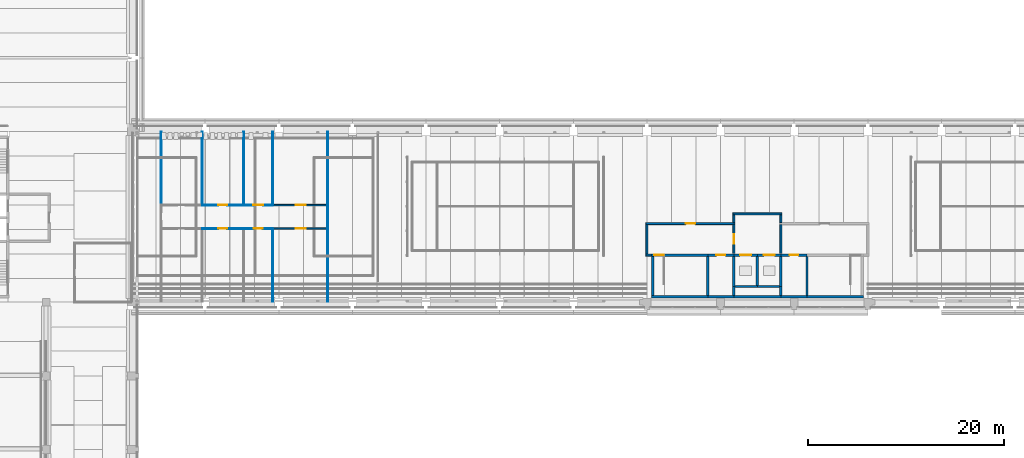
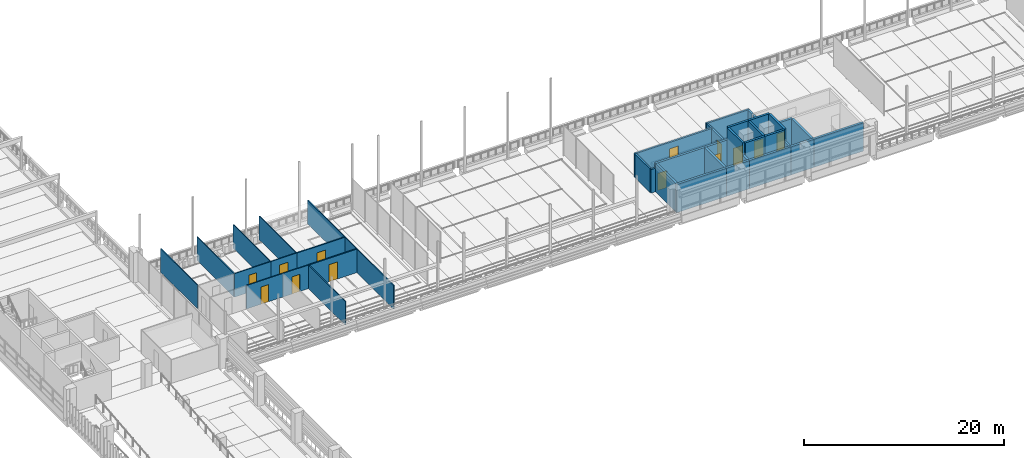
# One storey, part 42 of 62: 42 walls, 13 doors, 13 openings.
"""IFC4 building model written with IfcOpenShell, lengths in metres."""

from ifc_helpers import new_model, si_unit, direction, frame, frame_2d, origin, place, context, subcontext, project, spatial, rectangle, extrude, material, layer, layer_set, type_object, element, fill, save


model = new_model("IFC4")

# Units and contexts
model_context = context("Model", 3, precision=1e-05, world=origin(), true_north=direction((0.0, 1.0)))
body_context = subcontext(model_context, "Body", "Model", "MODEL_VIEW")
ifc_project = project(units=[si_unit("LENGTHUNIT", "METRE"), si_unit("AREAUNIT", "SQUARE_METRE"), si_unit("VOLUMEUNIT", "CUBIC_METRE"), si_unit("PLANEANGLEUNIT", "RADIAN"), si_unit("MASSUNIT", "GRAM", prefix="KILO")], contexts=[model_context])

# Site, building, storey
site_placement = place(None, origin())
site = spatial("IfcSite", under=ifc_project, at=site_placement, CompositionType="ELEMENT")
building_placement = place(site_placement, origin())
building = spatial("IfcBuilding", under=site, at=building_placement, Name="Cour d'Honneur Mobility Palace", CompositionType="ELEMENT")
storey_placement = place(building_placement, frame((0.0, 0.0, 19.300048828125)))
storey = spatial("IfcBuildingStorey", under=building, at=storey_placement, Name="L05", CompositionType="ELEMENT", Elevation=19.300048828125)

# Walls
ifc_material_1 = material(Name="Concrete C50", Category="concrete")
ifc_layer_1 = layer(ifc_material_1, 0.25)
ifc_layer_set_1 = layer_set([ifc_layer_1], Name="Concrete C50")
wall_type_1 = type_object("IfcWallType", Name="Lift shaft wall 250", PredefinedType="SHEAR", material=ifc_layer_set_1)
wall_1_placement = place(storey_placement, frame((78.875, 46.60009765625, 0.0), z_axis=(0.0, 0.0, 1.0), x_axis=(1.0, 0.0, 0.0)))
element("IfcWall", 1, at=wall_1_placement, inside=storey, type_object=wall_type_1, Name="Lift shaft wall WL-CC6 L05", PredefinedType="SHEAR", context=body_context, shape_type="SweptSolid", body=[
    extrude(rectangle(XDim=2.27490234375, YDim=0.25, at=frame_2d((1.137451171875, 0.0))), origin(), (0.0, 0.0, 1.0), 4.949951171875),
])
wall_2_placement = place(storey_placement, frame((81.14990234375, 46.60009765625, 0.0), z_axis=(0.0, 0.0, 1.0), x_axis=(1.0, 0.0, 0.0)))
element("IfcWall", 2, at=wall_2_placement, inside=storey, type_object=wall_type_1, Name="Lift shaft wall WL-CC7 L05", PredefinedType="SHEAR", context=body_context, shape_type="SweptSolid", body=[
    extrude(rectangle(XDim=2.275146484375, YDim=0.25, at=frame_2d((1.1376953125, 0.0))), origin(), (0.0, 0.0, 1.0), 4.949951171875),
])

# Wall, opening, door
wall_3_placement = place(storey_placement, frame((78.75, 49.800048828125, 0.0), z_axis=(0.0, 0.0, 1.0), x_axis=(1.0, 0.0, 0.0)))
wall_3 = element("IfcWall", 3, at=wall_3_placement, inside=storey, type_object=wall_type_1, Name="Lift shaft wall WL-CC10 L05", PredefinedType="SHEAR", context=body_context, shape_type="SweptSolid", body=[
    extrude(rectangle(XDim=2.39990234375, YDim=0.25, at=frame_2d((1.199951171875, 0.0))), origin(), (0.0, 0.0, 1.0), 4.949951171875),
])
opening_1_placement = place(wall_3_placement, frame((0.64990234375, 0.0, 0.0)))
opening_1 = element("IfcOpeningElement", 4, at=opening_1_placement, cuts=wall_3, Name="Opening LD46", PredefinedType="OPENING", context=body_context, shape_type="SweptSolid", body=[
    extrude(rectangle(XDim=1.10009765625, YDim=2.10009765625, at=frame_2d((0.550048828125, 1.050048828125))), frame((0.0, 0.135009765625, 0.0), z_axis=(0.0, -1.0, 0.0), x_axis=(1.0, 0.0, 0.0)), (0.0, 0.0, 1.0), 0.27001953125),
])
ifc_material_2 = material(Name="Stainless steel", Category="steel")
door_type_1 = type_object("IfcDoorType", Name="Landing door 1100 x 2100", OperationType="SLIDING_TO_LEFT", PredefinedType="DOOR", material=ifc_material_2)
door_1_placement = place(opening_1_placement, origin())
door_1 = element("IfcDoor", 5, at=door_1_placement, inside=storey, type_object=door_type_1, Name="Landing door LF-CC1 L05", OperationType="SLIDING_TO_LEFT", OverallHeight=2.10009765625, OverallWidth=1.10009765625, PredefinedType="DOOR", context=body_context, shape_type="SweptSolid", body=[
    extrude(rectangle(XDim=1.10009765625, YDim=2.10009765625, at=frame_2d((0.550048828125, 1.050048828125))), frame((0.0, 0.02490234375, 0.0), z_axis=(0.0, -1.0, 0.0), x_axis=(1.0, 0.0, 0.0)), (0.0, 0.0, 1.0), 0.050048828125),
])
fill(opening_1, door_1)

wall_4_placement = place(storey_placement, frame((81.14990234375, 49.800048828125, 0.0), z_axis=(0.0, 0.0, 1.0), x_axis=(1.0, 0.0, 0.0)))
wall_4 = element("IfcWall", 6, at=wall_4_placement, inside=storey, type_object=wall_type_1, Name="Lift shaft wall WL-CC11 L05", PredefinedType="SHEAR", context=body_context, shape_type="SweptSolid", body=[
    extrude(rectangle(XDim=2.400146484375, YDim=0.25, at=frame_2d((1.2001953125, 0.0))), origin(), (0.0, 0.0, 1.0), 4.949951171875),
])
opening_2_placement = place(wall_4_placement, frame((0.64990234375, 0.0, 0.0)))
opening_2 = element("IfcOpeningElement", 7, at=opening_2_placement, cuts=wall_4, Name="Opening LD52", PredefinedType="OPENING", context=body_context, shape_type="SweptSolid", body=[
    extrude(rectangle(XDim=1.10009765625, YDim=2.10009765625, at=frame_2d((0.550048828125, 1.050048828125))), frame((0.0, 0.135009765625, 0.0), z_axis=(0.0, -1.0, 0.0), x_axis=(1.0, 0.0, 0.0)), (0.0, 0.0, 1.0), 0.27001953125),
])
door_2_placement = place(opening_2_placement, origin())
door_2 = element("IfcDoor", 8, at=door_2_placement, inside=storey, type_object=door_type_1, Name="Landing door LF-CC2 L05", OperationType="SLIDING_TO_LEFT", OverallHeight=2.10009765625, OverallWidth=1.10009765625, PredefinedType="DOOR", context=body_context, shape_type="SweptSolid", body=[
    extrude(rectangle(XDim=1.10009765625, YDim=2.10009765625, at=frame_2d((0.550048828125, 1.050048828125))), frame((0.0, 0.02490234375, 0.0), z_axis=(0.0, -1.0, 0.0), x_axis=(1.0, 0.0, 0.0)), (0.0, 0.0, 1.0), 0.050048828125),
])
fill(opening_2, door_2)

# Walls
wall_5_placement = place(storey_placement, frame((78.75, 46.60009765625, 0.0), z_axis=(0.0, 0.0, 1.0), x_axis=(0.0, 1.0, 0.0)))
element("IfcWall", 9, at=wall_5_placement, inside=storey, type_object=wall_type_1, Name="Lift shaft wall WL-CC17 L05", PredefinedType="SHEAR", context=body_context, shape_type="SweptSolid", body=[
    extrude(rectangle(XDim=3.074951171875, YDim=0.25, at=frame_2d((1.53759765625, 0.0))), origin(), (0.0, 0.0, 1.0), 4.949951171875),
])
wall_6_placement = place(storey_placement, frame((81.14990234375, 46.72509765625, 0.0), z_axis=(0.0, 0.0, 1.0), x_axis=(0.0, 1.0, 0.0)))
element("IfcWall", 10, at=wall_6_placement, inside=storey, type_object=wall_type_1, Name="Lift shaft wall WL-CC18 L05", PredefinedType="SHEAR", context=body_context, shape_type="SweptSolid", body=[
    extrude(rectangle(XDim=2.949951171875, YDim=0.25, at=frame_2d((1.47509765625, 0.0))), origin(), (0.0, 0.0, 1.0), 4.949951171875),
])
wall_7_placement = place(storey_placement, frame((83.550048828125, 46.60009765625, 0.0), z_axis=(0.0, 0.0, 1.0), x_axis=(0.0, 1.0, 0.0)))
element("IfcWall", 11, at=wall_7_placement, inside=storey, type_object=wall_type_1, Name="Lift shaft wall WL-CC20 L05", PredefinedType="SHEAR", context=body_context, shape_type="SweptSolid", body=[
    extrude(rectangle(XDim=3.074951171875, YDim=0.25, at=frame_2d((1.53759765625, 0.0))), origin(), (0.0, 0.0, 1.0), 4.949951171875),
])
ifc_material_3 = material(Name="Gypsum plasterboard")
ifc_layer_2 = layer(ifc_material_3, 0.10009765625)
ifc_layer_set_2 = layer_set([ifc_layer_2], Name="Gypsum plasterboard")
wall_type_2 = type_object("IfcWallType", Name="Partition 100", PredefinedType="PARTITIONING", material=ifc_layer_set_2)
for number, where, z_axis, x_axis, name in (
    (12, (31.800048828125, 45.06005859375, 0.0), (0.0, 0.0, 1.0), (0.0, 1.0, 0.0), "Partition 021"),
    (13, (37.39990234375, 45.06005859375, 0.0), (0.0, 0.0, 1.0), (0.0, 1.0, 0.0), "Partition 022"),
):
    element("IfcWall", number, at=place(storey_placement, frame(where, z_axis=z_axis, x_axis=x_axis)), inside=storey, type_object=wall_type_2, Name=name, PredefinedType="PARTITIONING", context=body_context, shape_type="SweptSolid", body=[
        extrude(rectangle(XDim=7.364990234375, YDim=0.10009765625, at=frame_2d((3.6826171875, 0.0))), origin(), (0.0, 0.0, 1.0), 2.8798828125),
    ])

# Wall, opening, door
wall_8_placement = place(storey_placement, frame((24.60009765625, 52.5, 0.0), z_axis=(0.0, 0.0, 1.0), x_axis=(1.0, 0.0, 0.0)))
wall_8 = element("IfcWall", 14, at=wall_8_placement, inside=storey, type_object=wall_type_2, Name="Partition 038", PredefinedType="PARTITIONING", context=body_context, shape_type="SweptSolid", body=[
    extrude(rectangle(XDim=4.199951171875, YDim=0.10009765625, at=frame_2d((2.10009765625, 0.0))), origin(), (0.0, 0.0, 1.0), 2.8798828125),
])
opening_3_placement = place(wall_8_placement, frame((1.64990234375, 0.0, 0.0)))
opening_3 = element("IfcOpeningElement", 15, at=opening_3_placement, cuts=wall_8, Name="Opening D0519", PredefinedType="OPENING", context=body_context, shape_type="SweptSolid", body=[
    extrude(rectangle(XDim=0.89990234375, YDim=2.10009765625, at=frame_2d((0.449951171875, 1.050048828125))), frame((0.0, 0.06005859375, 0.0), z_axis=(0.0, -1.0, 0.0), x_axis=(1.0, 0.0, 0.0)), (0.0, 0.0, 1.0), 0.1201171875),
])
ifc_material_4 = material(Name="Solid timber", Category="wood")
door_type_2 = type_object("IfcDoorType", Name="Single door 900 x 2100", OperationType="SINGLE_SWING_LEFT", PredefinedType="DOOR", material=ifc_material_4)
door_3_placement = place(opening_3_placement, origin())
door_3 = element("IfcDoor", 16, at=door_3_placement, inside=storey, type_object=door_type_2, Name="Door Changing Room Women West", OperationType="SINGLE_SWING_LEFT", OverallHeight=2.10009765625, OverallWidth=0.89990234375, PredefinedType="DOOR", context=body_context, shape_type="SweptSolid", body=[
    extrude(rectangle(XDim=0.89990234375, YDim=2.10009765625, at=frame_2d((0.449951171875, 1.050048828125))), frame((0.0, 0.02490234375, 0.0), z_axis=(0.0, -1.0, 0.0), x_axis=(1.0, 0.0, 0.0)), (0.0, 0.0, 1.0), 0.050048828125),
])
fill(opening_3, door_3)

wall_9_placement = place(storey_placement, frame((28.800048828125, 52.5, 0.0), z_axis=(0.0, 0.0, 1.0), x_axis=(1.0, 0.0, 0.0)))
wall_9 = element("IfcWall", 17, at=wall_9_placement, inside=storey, type_object=wall_type_2, Name="Partition 039", PredefinedType="PARTITIONING", context=body_context, shape_type="SweptSolid", body=[
    extrude(rectangle(XDim=3.0, YDim=0.10009765625, at=frame_2d((1.5, 0.0))), origin(), (0.0, 0.0, 1.0), 2.8798828125),
])
opening_4_placement = place(wall_9_placement, frame((1.050048828125, 0.0, 0.0)))
opening_4 = element("IfcOpeningElement", 18, at=opening_4_placement, cuts=wall_9, Name="Opening D0520", PredefinedType="OPENING", context=body_context, shape_type="SweptSolid", body=[
    extrude(rectangle(XDim=0.89990234375, YDim=2.10009765625, at=frame_2d((0.449951171875, 1.050048828125))), frame((0.0, 0.06005859375, 0.0), z_axis=(0.0, -1.0, 0.0), x_axis=(1.0, 0.0, 0.0)), (0.0, 0.0, 1.0), 0.1201171875),
])
door_4_placement = place(opening_4_placement, origin())
door_4 = element("IfcDoor", 19, at=door_4_placement, inside=storey, type_object=door_type_2, Name="Door Accessible Changing Room West", OperationType="SINGLE_SWING_LEFT", OverallHeight=2.10009765625, OverallWidth=0.89990234375, PredefinedType="DOOR", context=body_context, shape_type="SweptSolid", body=[
    extrude(rectangle(XDim=0.89990234375, YDim=2.10009765625, at=frame_2d((0.449951171875, 1.050048828125))), frame((0.0, 0.02490234375, 0.0), z_axis=(0.0, -1.0, 0.0), x_axis=(1.0, 0.0, 0.0)), (0.0, 0.0, 1.0), 0.050048828125),
])
fill(opening_4, door_4)

# Walls
wall_10_placement = place(storey_placement, frame((37.39990234375, 52.574951171875, 0.0), z_axis=(0.0, 0.0, 1.0), x_axis=(0.0, 1.0, 0.0)))
element("IfcWall", 20, at=wall_10_placement, inside=storey, type_object=wall_type_2, Name="Partition 041", PredefinedType="PARTITIONING", context=body_context, shape_type="SweptSolid", body=[
    extrude(rectangle(XDim=2.25, YDim=0.10009765625, at=frame_2d((1.125, 0.0))), origin(), (0.0, 0.0, 1.0), 2.8798828125),
])
wall_11_placement = place(storey_placement, frame((24.60009765625, 54.949951171875, 0.0), z_axis=(0.0, 0.0, 1.0), x_axis=(0.0, 1.0, 0.0)))
element("IfcWall", 21, at=wall_11_placement, inside=storey, type_object=wall_type_2, Name="Partition 053", PredefinedType="PARTITIONING", context=body_context, shape_type="SweptSolid", body=[
    extrude(rectangle(XDim=7.39013671875, YDim=0.10009765625, at=frame_2d((3.695068359375, 0.0))), origin(), (0.0, 0.0, 1.0), 2.8798828125),
])

# Wall, opening, door
wall_12_placement = place(storey_placement, frame((28.800048828125, 54.89990234375, 0.0), z_axis=(0.0, 0.0, 1.0), x_axis=(-1.0, 0.0, 0.0)))
wall_12 = element("IfcWall", 22, at=wall_12_placement, inside=storey, type_object=wall_type_2, Name="Partition 054", PredefinedType="PARTITIONING", context=body_context, shape_type="SweptSolid", body=[
    extrude(rectangle(XDim=4.199951171875, YDim=0.10009765625, at=frame_2d((2.10009765625, 0.0))), origin(), (0.0, 0.0, 1.0), 2.8798828125),
])
opening_5_placement = place(wall_12_placement, frame((1.64990234375, 0.0, 0.0)))
opening_5 = element("IfcOpeningElement", 23, at=opening_5_placement, cuts=wall_12, Name="Opening D0523", PredefinedType="OPENING", context=body_context, shape_type="SweptSolid", body=[
    extrude(rectangle(XDim=0.89990234375, YDim=2.10009765625, at=frame_2d((0.449951171875, 1.050048828125))), frame((0.0, 0.06005859375, 0.0), z_axis=(0.0, -1.0, 0.0), x_axis=(1.0, 0.0, 0.0)), (0.0, 0.0, 1.0), 0.1201171875),
])
door_5_placement = place(opening_5_placement, origin())
door_5 = element("IfcDoor", 24, at=door_5_placement, inside=storey, type_object=door_type_2, Name="Door WC Women West", OperationType="SINGLE_SWING_LEFT", OverallHeight=2.10009765625, OverallWidth=0.89990234375, PredefinedType="DOOR", context=body_context, shape_type="SweptSolid", body=[
    extrude(rectangle(XDim=0.89990234375, YDim=2.10009765625, at=frame_2d((0.449951171875, 1.050048828125))), frame((0.0, 0.02490234375, 0.0), z_axis=(0.0, -1.0, 0.0), x_axis=(1.0, 0.0, 0.0)), (0.0, 0.0, 1.0), 0.050048828125),
])
fill(opening_5, door_5)

# Wall
wall_13_placement = place(storey_placement, frame((28.800048828125, 54.949951171875, 0.0), z_axis=(0.0, 0.0, 1.0), x_axis=(0.0, 1.0, 0.0)))
element("IfcWall", 25, at=wall_13_placement, inside=storey, type_object=wall_type_2, Name="Partition 055", PredefinedType="PARTITIONING", context=body_context, shape_type="SweptSolid", body=[
    extrude(rectangle(XDim=7.39013671875, YDim=0.10009765625, at=frame_2d((3.695068359375, 0.0))), origin(), (0.0, 0.0, 1.0), 2.8798828125),
])

# Wall, opening, door
wall_14_placement = place(storey_placement, frame((31.800048828125, 54.89990234375, 0.0), z_axis=(0.0, 0.0, 1.0), x_axis=(-1.0, 0.0, 0.0)))
wall_14 = element("IfcWall", 26, at=wall_14_placement, inside=storey, type_object=wall_type_2, Name="Partition 056", PredefinedType="PARTITIONING", context=body_context, shape_type="SweptSolid", body=[
    extrude(rectangle(XDim=3.0, YDim=0.10009765625, at=frame_2d((1.5, 0.0))), origin(), (0.0, 0.0, 1.0), 2.8798828125),
])
opening_6_placement = place(wall_14_placement, frame((1.0, 0.0, 0.0)))
opening_6 = element("IfcOpeningElement", 27, at=opening_6_placement, cuts=wall_14, Name="Opening D0524", PredefinedType="OPENING", context=body_context, shape_type="SweptSolid", body=[
    extrude(rectangle(XDim=1.0, YDim=2.10009765625, at=frame_2d((0.5, 1.050048828125))), frame((0.0, 0.06005859375, 0.0), z_axis=(0.0, -1.0, 0.0), x_axis=(1.0, 0.0, 0.0)), (0.0, 0.0, 1.0), 0.1201171875),
])
ifc_material_5 = material(Name="Solid timber", Category="wood")
door_type_3 = type_object("IfcDoorType", Name="Accessible door 1000 x 2100", OperationType="SINGLE_SWING_LEFT", PredefinedType="DOOR", material=ifc_material_5)
door_6_placement = place(opening_6_placement, origin())
door_6 = element("IfcDoor", 28, at=door_6_placement, inside=storey, type_object=door_type_3, Name="Door Accessible WC West", OperationType="SINGLE_SWING_LEFT", OverallHeight=2.10009765625, OverallWidth=1.0, PredefinedType="DOOR", context=body_context, shape_type="SweptSolid", body=[
    extrude(rectangle(XDim=1.0, YDim=2.10009765625, at=frame_2d((0.5, 1.050048828125))), frame((0.0, 0.02490234375, 0.0), z_axis=(0.0, -1.0, 0.0), x_axis=(1.0, 0.0, 0.0)), (0.0, 0.0, 1.0), 0.050048828125),
])
fill(opening_6, door_6)

# Walls
for number, where, z_axis, x_axis, name in (
    (29, (31.800048828125, 54.97509765625, 0.0), (0.0, 0.0, 1.0), (0.0, 1.0, 0.0), "Partition 057"),
    (30, (37.39990234375, 54.97509765625, 0.0), (0.0, 0.0, 1.0), (0.0, 1.0, 0.0), "Partition 059"),
):
    element("IfcWall", number, at=place(storey_placement, frame(where, z_axis=z_axis, x_axis=x_axis)), inside=storey, type_object=wall_type_2, Name=name, PredefinedType="PARTITIONING", context=body_context, shape_type="SweptSolid", body=[
        extrude(rectangle(XDim=7.364990234375, YDim=0.10009765625, at=frame_2d((3.6826171875, 0.0))), origin(), (0.0, 0.0, 1.0), 2.8798828125),
    ])
wall_15_placement = place(storey_placement, frame((20.39990234375, 62.340087890625, 0.0), z_axis=(0.0, 0.0, 1.0), x_axis=(0.0, -1.0, 0.0)))
element("IfcWall", 31, at=wall_15_placement, inside=storey, type_object=wall_type_2, Name="Partition 068", PredefinedType="PARTITIONING", context=body_context, shape_type="SweptSolid", body=[
    extrude(rectangle(XDim=7.39013671875, YDim=0.10009765625, at=frame_2d((3.695068359375, 0.0))), origin(), (0.0, 0.0, 1.0), 2.8798828125),
])

# Wall, opening, door
ifc_material_6 = material(Name="Gypsum plasterboard")
ifc_layer_3 = layer(ifc_material_6, 0.14990234375)
ifc_layer_set_3 = layer_set([ifc_layer_3], Name="Gypsum plasterboard")
wall_type_3 = type_object("IfcWallType", Name="Partition 150 rated EI 60", PredefinedType="PARTITIONING", material=ifc_layer_set_3)
wall_16_placement = place(storey_placement, frame((31.800048828125, 52.5, 0.0), z_axis=(0.0, 0.0, 1.0), x_axis=(1.0, 0.0, 0.0)))
wall_16 = element("IfcWall", 32, at=wall_16_placement, inside=storey, type_object=wall_type_3, Name="Partition 040", PredefinedType="PARTITIONING", context=body_context, shape_type="SweptSolid", body=[
    extrude(rectangle(XDim=5.64990234375, YDim=0.14990234375, at=frame_2d((2.824951171875, 0.0))), origin(), (0.0, 0.0, 1.0), 2.8798828125),
])
opening_7_placement = place(wall_16_placement, frame((2.324951171875, 0.0, 0.0)))
opening_7 = element("IfcOpeningElement", 33, at=opening_7_placement, cuts=wall_16, Name="Opening D0521", PredefinedType="OPENING", context=body_context, shape_type="SweptSolid", body=[
    extrude(rectangle(XDim=1.0, YDim=2.10009765625, at=frame_2d((0.5, 1.050048828125))), frame((0.0, 0.0849609375, 0.0), z_axis=(0.0, -1.0, 0.0), x_axis=(1.0, 0.0, 0.0)), (0.0, 0.0, 1.0), 0.169921875),
])
ifc_material_7 = material(Name="Galvanised steel", Category="steel")
door_type_4 = type_object("IfcDoorType", Name="Fire door FD60 1000 x 2100", OperationType="SINGLE_SWING_LEFT", PredefinedType="DOOR", material=ifc_material_7)
door_7_placement = place(opening_7_placement, origin())
door_7 = element("IfcDoor", 34, at=door_7_placement, inside=storey, type_object=door_type_4, Name="Door Equipment Store West", OperationType="SINGLE_SWING_RIGHT", OverallHeight=2.10009765625, OverallWidth=1.0, PredefinedType="DOOR", context=body_context, shape_type="SweptSolid", body=[
    extrude(rectangle(XDim=1.0, YDim=2.10009765625, at=frame_2d((0.5, 1.050048828125))), frame((0.0, 0.02490234375, 0.0), z_axis=(0.0, -1.0, 0.0), x_axis=(1.0, 0.0, 0.0)), (0.0, 0.0, 1.0), 0.050048828125),
])
fill(opening_7, door_7)

wall_17_placement = place(storey_placement, frame((37.449951171875, 54.89990234375, 0.0), z_axis=(0.0, 0.0, 1.0), x_axis=(-1.0, 0.0, 0.0)))
wall_17 = element("IfcWall", 35, at=wall_17_placement, inside=storey, type_object=wall_type_3, Name="Partition 058", PredefinedType="PARTITIONING", context=body_context, shape_type="SweptSolid", body=[
    extrude(rectangle(XDim=5.64990234375, YDim=0.14990234375, at=frame_2d((2.824951171875, 0.0))), origin(), (0.0, 0.0, 1.0), 2.8798828125),
])
opening_8_placement = place(wall_17_placement, frame((2.324951171875, 0.0, 0.0)))
opening_8 = element("IfcOpeningElement", 36, at=opening_8_placement, cuts=wall_17, Name="Opening D0525", PredefinedType="OPENING", context=body_context, shape_type="SweptSolid", body=[
    extrude(rectangle(XDim=1.0, YDim=2.10009765625, at=frame_2d((0.5, 1.050048828125))), frame((0.0, 0.0849609375, 0.0), z_axis=(0.0, -1.0, 0.0), x_axis=(1.0, 0.0, 0.0)), (0.0, 0.0, 1.0), 0.169921875),
])
door_8_placement = place(opening_8_placement, origin())
door_8 = element("IfcDoor", 37, at=door_8_placement, inside=storey, type_object=door_type_4, Name="Door First Aid Room", OperationType="SINGLE_SWING_LEFT", OverallHeight=2.10009765625, OverallWidth=1.0, PredefinedType="DOOR", context=body_context, shape_type="SweptSolid", body=[
    extrude(rectangle(XDim=1.0, YDim=2.10009765625, at=frame_2d((0.5, 1.050048828125))), frame((0.0, 0.02490234375, 0.0), z_axis=(0.0, -1.0, 0.0), x_axis=(1.0, 0.0, 0.0)), (0.0, 0.0, 1.0), 0.050048828125),
])
fill(opening_8, door_8)

# Wall
ifc_material_8 = material(Name="Gypsum plasterboard")
ifc_layer_4 = layer(ifc_material_8, 0.199951171875)
ifc_layer_set_4 = layer_set([ifc_layer_4], Name="Gypsum plasterboard")
wall_type_4 = type_object("IfcWallType", Name="Partition 200 rated EI 120", PredefinedType="PARTITIONING", material=ifc_layer_set_4)
wall_18_placement = place(storey_placement, frame((69.800048828125, 49.800048828125, 0.0), z_axis=(0.0, 0.0, 1.0), x_axis=(1.0, 0.0, 0.0)))
element("IfcWall", 38, at=wall_18_placement, inside=storey, type_object=wall_type_4, Name="Partition 024", PredefinedType="PARTITIONING", context=body_context, shape_type="SweptSolid", body=[
    extrude(rectangle(XDim=0.550048828125, YDim=0.199951171875, at=frame_2d((0.27490234375, 0.0))), origin(), (0.0, 0.0, 1.0), 2.8798828125),
])

# Wall, opening, door
wall_19_placement = place(storey_placement, frame((78.75, 49.97509765625, 0.0), z_axis=(0.0, 0.0, 1.0), x_axis=(0.0, 1.0, 0.0)))
wall_19 = element("IfcWall", 39, at=wall_19_placement, inside=storey, type_object=wall_type_4, Name="Partition 027", PredefinedType="PARTITIONING", context=body_context, shape_type="SweptSolid", body=[
    extrude(rectangle(XDim=2.9248046875, YDim=0.199951171875, at=frame_2d((1.46240234375, 0.0))), origin(), (0.0, 0.0, 1.0), 2.8798828125),
])
opening_9_placement = place(wall_19_placement, frame((0.96240234375, 0.0, 0.0)))
opening_9 = element("IfcOpeningElement", 40, at=opening_9_placement, cuts=wall_19, Name="Opening D0505", PredefinedType="OPENING", context=body_context, shape_type="SweptSolid", body=[
    extrude(rectangle(XDim=1.0, YDim=2.10009765625, at=frame_2d((0.5, 1.050048828125))), frame((0.0, 0.10986328125, 0.0), z_axis=(0.0, -1.0, 0.0), x_axis=(1.0, 0.0, 0.0)), (0.0, 0.0, 1.0), 0.219970703125),
])
ifc_material_9 = material(Name="Galvanised steel", Category="steel")
door_type_5 = type_object("IfcDoorType", Name="Fire door FD120 1000 x 2100", OperationType="SINGLE_SWING_LEFT", PredefinedType="DOOR", material=ifc_material_9)
door_9_placement = place(opening_9_placement, origin())
door_9 = element("IfcDoor", 41, at=door_9_placement, inside=storey, type_object=door_type_5, Name="Door Lift Lobby CC", OperationType="SINGLE_SWING_RIGHT", OverallHeight=2.10009765625, OverallWidth=1.0, PredefinedType="DOOR", context=body_context, shape_type="SweptSolid", body=[
    extrude(rectangle(XDim=1.0, YDim=2.10009765625, at=frame_2d((0.5, 1.050048828125))), frame((0.0, 0.02490234375, 0.0), z_axis=(0.0, -1.0, 0.0), x_axis=(1.0, 0.0, 0.0)), (0.0, 0.0, 1.0), 0.050048828125),
])
fill(opening_9, door_9)

# Walls
wall_20_placement = place(storey_placement, frame((83.550048828125, 49.97509765625, 0.0), z_axis=(0.0, 0.0, 1.0), x_axis=(0.0, 1.0, 0.0)))
element("IfcWall", 42, at=wall_20_placement, inside=storey, type_object=wall_type_4, Name="Partition 028", PredefinedType="PARTITIONING", context=body_context, shape_type="SweptSolid", body=[
    extrude(rectangle(XDim=2.9248046875, YDim=0.199951171875, at=frame_2d((1.46240234375, 0.0))), origin(), (0.0, 0.0, 1.0), 2.8798828125),
])
wall_21_placement = place(storey_placement, frame((69.89990234375, 52.89990234375, 0.0), z_axis=(0.0, 0.0, 1.0), x_axis=(0.0, -1.0, 0.0)))
element("IfcWall", 43, at=wall_21_placement, inside=storey, type_object=wall_type_4, Name="Partition 045", PredefinedType="PARTITIONING", context=body_context, shape_type="SweptSolid", body=[
    extrude(rectangle(XDim=3.0, YDim=0.199951171875, at=frame_2d((1.5, 0.0))), origin(), (0.0, 0.0, 1.0), 2.8798828125),
])

# Wall, opening, door
wall_22_placement = place(storey_placement, frame((78.85009765625, 53.0, 0.0), z_axis=(0.0, 0.0, 1.0), x_axis=(-1.0, 0.0, 0.0)))
wall_22 = element("IfcWall", 44, at=wall_22_placement, inside=storey, type_object=wall_type_4, Name="Partition 046", PredefinedType="PARTITIONING", context=body_context, shape_type="SweptSolid", body=[
    extrude(rectangle(XDim=9.050048828125, YDim=0.199951171875, at=frame_2d((4.52490234375, 0.0))), origin(), (0.0, 0.0, 1.0), 2.8798828125),
])
opening_10_placement = place(wall_22_placement, frame((4.02490234375, 0.0, 0.0)))
opening_10 = element("IfcOpeningElement", 45, at=opening_10_placement, cuts=wall_22, Name="Opening D0504", PredefinedType="OPENING", context=body_context, shape_type="SweptSolid", body=[
    extrude(rectangle(XDim=1.0, YDim=2.10009765625, at=frame_2d((0.5, 1.050048828125))), frame((0.0, 0.10986328125, 0.0), z_axis=(0.0, -1.0, 0.0), x_axis=(1.0, 0.0, 0.0)), (0.0, 0.0, 1.0), 0.219970703125),
])
door_10_placement = place(opening_10_placement, frame((1.0, 0.0, 0.0), z_axis=(0.0, 0.0, 1.0), x_axis=(-1.0, 0.0, 0.0)))
door_10 = element("IfcDoor", 46, at=door_10_placement, inside=storey, type_object=door_type_5, Name="Door Stair Lobby CC West", OperationType="SINGLE_SWING_RIGHT", OverallHeight=2.10009765625, OverallWidth=1.0, PredefinedType="DOOR", context=body_context, shape_type="SweptSolid", body=[
    extrude(rectangle(XDim=1.0, YDim=2.10009765625, at=frame_2d((0.5, 1.050048828125))), frame((0.0, 0.02490234375, 0.0), z_axis=(0.0, -1.0, 0.0), x_axis=(1.0, 0.0, 0.0)), (0.0, 0.0, 1.0), 0.050048828125),
])
fill(opening_10, door_10)

# Walls
for number, where, z_axis, x_axis, name in (
    (47, (83.550048828125, 53.10009765625, 0.0), (0.0, 0.0, 1.0), (0.0, 1.0, 0.0), "Partition 047"),
    (48, (78.75, 53.89990234375, 0.0), (0.0, 0.0, 1.0), (0.0, -1.0, 0.0), "Partition 049"),
):
    element("IfcWall", number, at=place(storey_placement, frame(where, z_axis=z_axis, x_axis=x_axis)), inside=storey, type_object=wall_type_4, Name=name, PredefinedType="PARTITIONING", context=body_context, shape_type="SweptSolid", body=[
        extrude(rectangle(XDim=0.7998046875, YDim=0.199951171875, at=frame_2d((0.39990234375, 0.0))), origin(), (0.0, 0.0, 1.0), 2.8798828125),
    ])
wall_23_placement = place(storey_placement, frame((83.64990234375, 54.0, 0.0), z_axis=(0.0, 0.0, 1.0), x_axis=(-1.0, 0.0, 0.0)))
element("IfcWall", 49, at=wall_23_placement, inside=storey, type_object=wall_type_4, Name="Partition 050", PredefinedType="PARTITIONING", context=body_context, shape_type="SweptSolid", body=[
    extrude(rectangle(XDim=5.0, YDim=0.199951171875, at=frame_2d((2.5, 0.0))), origin(), (0.0, 0.0, 1.0), 2.8798828125),
])
ifc_material_10 = material(Name="Concrete C50", Category="concrete")
ifc_layer_5 = layer(ifc_material_10, 0.25)
ifc_layer_set_5 = layer_set([ifc_layer_5], Name="Concrete C50")
wall_type_5 = type_object("IfcWallType", Name="Shaft wall 250", PredefinedType="SHEAR", material=ifc_layer_set_5)
wall_24_placement = place(storey_placement, frame((76.10009765625, 45.574951171875, 0.0), z_axis=(0.0, 0.0, 1.0), x_axis=(1.0, 0.0, 0.0)))
element("IfcWall", 50, at=wall_24_placement, inside=storey, type_object=wall_type_5, Name="Shaft wall WR-CC2 L05", PredefinedType="SHEAR", context=body_context, shape_type="SweptSolid", body=[
    extrude(rectangle(XDim=2.64990234375, YDim=0.25, at=frame_2d((1.324951171875, 0.0))), origin(), (0.0, 0.0, 1.0), 3.449951171875),
])
wall_25_placement = place(storey_placement, frame((78.75, 45.574951171875, 0.0), z_axis=(0.0, 0.0, 1.0), x_axis=(1.0, 0.0, 0.0)))
element("IfcWall", 51, at=wall_25_placement, inside=storey, type_object=wall_type_5, Name="Shaft wall WR-CC3 L05", PredefinedType="SHEAR", context=body_context, shape_type="SweptSolid", body=[
    extrude(rectangle(XDim=4.800048828125, YDim=0.25, at=frame_2d((2.39990234375, 0.0))), origin(), (0.0, 0.0, 1.0), 3.449951171875),
])
wall_26_placement = place(storey_placement, frame((83.550048828125, 45.574951171875, 0.0), z_axis=(0.0, 0.0, 1.0), x_axis=(1.0, 0.0, 0.0)))
element("IfcWall", 52, at=wall_26_placement, inside=storey, type_object=wall_type_5, Name="Shaft wall WR-CC4 L05", PredefinedType="SHEAR", context=body_context, shape_type="SweptSolid", body=[
    extrude(rectangle(XDim=2.64990234375, YDim=0.25, at=frame_2d((1.324951171875, 0.0))), origin(), (0.0, 0.0, 1.0), 3.449951171875),
])

# Wall, opening, door
wall_27_placement = place(storey_placement, frame((76.10009765625, 49.800048828125, 0.0), z_axis=(0.0, 0.0, 1.0), x_axis=(1.0, 0.0, 0.0)))
wall_27 = element("IfcWall", 53, at=wall_27_placement, inside=storey, type_object=wall_type_5, Name="Shaft wall WR-CC9 L05", PredefinedType="SHEAR", context=body_context, shape_type="SweptSolid", body=[
    extrude(rectangle(XDim=2.64990234375, YDim=0.25, at=frame_2d((1.324951171875, 0.0))), origin(), (0.0, 0.0, 1.0), 3.449951171875),
])
opening_11_placement = place(wall_27_placement, frame((0.875, 0.0, 0.0)))
opening_11 = element("IfcOpeningElement", 54, at=opening_11_placement, cuts=wall_27, Name="Opening R6", PredefinedType="OPENING", context=body_context, shape_type="SweptSolid", body=[
    extrude(rectangle(XDim=0.89990234375, YDim=2.10009765625, at=frame_2d((0.449951171875, 1.050048828125))), frame((0.0, 0.135009765625, 0.0), z_axis=(0.0, -1.0, 0.0), x_axis=(1.0, 0.0, 0.0)), (0.0, 0.0, 1.0), 0.27001953125),
])
ifc_material_11 = material(Name="Galvanised steel", Category="steel")
door_type_6 = type_object("IfcDoorType", Name="Riser door FD120 900 x 2100", OperationType="SINGLE_SWING_LEFT", PredefinedType="DOOR", material=ifc_material_11)
door_11_placement = place(opening_11_placement, origin())
door_11 = element("IfcDoor", 55, at=door_11_placement, inside=storey, type_object=door_type_6, Name="Riser door CC.R1 L05", OperationType="SINGLE_SWING_LEFT", OverallHeight=2.10009765625, OverallWidth=0.89990234375, PredefinedType="DOOR", context=body_context, shape_type="SweptSolid", body=[
    extrude(rectangle(XDim=0.89990234375, YDim=2.10009765625, at=frame_2d((0.449951171875, 1.050048828125))), frame((0.0, 0.02490234375, 0.0), z_axis=(0.0, -1.0, 0.0), x_axis=(1.0, 0.0, 0.0)), (0.0, 0.0, 1.0), 0.050048828125),
])
fill(opening_11, door_11)

wall_28_placement = place(storey_placement, frame((83.550048828125, 49.800048828125, 0.0), z_axis=(0.0, 0.0, 1.0), x_axis=(1.0, 0.0, 0.0)))
wall_28 = element("IfcWall", 56, at=wall_28_placement, inside=storey, type_object=wall_type_5, Name="Shaft wall WR-CC12 L05", PredefinedType="SHEAR", context=body_context, shape_type="SweptSolid", body=[
    extrude(rectangle(XDim=2.64990234375, YDim=0.25, at=frame_2d((1.324951171875, 0.0))), origin(), (0.0, 0.0, 1.0), 3.449951171875),
])
opening_12_placement = place(wall_28_placement, frame((0.875, 0.0, 0.0)))
opening_12 = element("IfcOpeningElement", 57, at=opening_12_placement, cuts=wall_28, Name="Opening R12", PredefinedType="OPENING", context=body_context, shape_type="SweptSolid", body=[
    extrude(rectangle(XDim=0.89990234375, YDim=2.10009765625, at=frame_2d((0.449951171875, 1.050048828125))), frame((0.0, 0.135009765625, 0.0), z_axis=(0.0, -1.0, 0.0), x_axis=(1.0, 0.0, 0.0)), (0.0, 0.0, 1.0), 0.27001953125),
])
door_12_placement = place(opening_12_placement, origin())
door_12 = element("IfcDoor", 58, at=door_12_placement, inside=storey, type_object=door_type_6, Name="Riser door CC.R2 L05", OperationType="SINGLE_SWING_LEFT", OverallHeight=2.10009765625, OverallWidth=0.89990234375, PredefinedType="DOOR", context=body_context, shape_type="SweptSolid", body=[
    extrude(rectangle(XDim=0.89990234375, YDim=2.10009765625, at=frame_2d((0.449951171875, 1.050048828125))), frame((0.0, 0.02490234375, 0.0), z_axis=(0.0, -1.0, 0.0), x_axis=(1.0, 0.0, 0.0)), (0.0, 0.0, 1.0), 0.050048828125),
])
fill(opening_12, door_12)

# Walls
for number, where, z_axis, x_axis, name in (
    (59, (78.75, 45.699951171875, 0.0), (0.0, 0.0, 1.0), (0.0, 1.0, 0.0), "Shaft wall WR-CC16 L05"),
    (60, (83.550048828125, 45.699951171875, 0.0), (0.0, 0.0, 1.0), (0.0, 1.0, 0.0), "Shaft wall WR-CC19 L05"),
):
    element("IfcWall", number, at=place(storey_placement, frame(where, z_axis=z_axis, x_axis=x_axis)), inside=storey, type_object=wall_type_5, Name=name, PredefinedType="SHEAR", context=body_context, shape_type="SweptSolid", body=[
        extrude(rectangle(XDim=0.900146484375, YDim=0.25, at=frame_2d((0.4501953125, 0.0))), origin(), (0.0, 0.0, 1.0), 3.449951171875),
    ])
ifc_material_12 = material(Name="Concrete C50", Category="concrete")
ifc_layer_6 = layer(ifc_material_12, 0.25)
ifc_layer_set_6 = layer_set([ifc_layer_6], Name="Concrete C50")
wall_type_6 = type_object("IfcWallType", Name="Stair wall 250", PredefinedType="SHEAR", material=ifc_layer_set_6)
for number, where, z_axis, x_axis, name in (
    (61, (70.35009765625, 45.574951171875, 0.0), (0.0, 0.0, 1.0), (1.0, 0.0, 0.0), "Stair wall WS-CC1 L05"),
    (62, (86.199951171875, 45.574951171875, 0.0), (0.0, 0.0, 1.0), (1.0, 0.0, 0.0), "Stair wall WS-CC5 L05"),
):
    element("IfcWall", number, at=place(storey_placement, frame(where, z_axis=z_axis, x_axis=x_axis)), inside=storey, type_object=wall_type_6, Name=name, PredefinedType="SHEAR", context=body_context, shape_type="SweptSolid", body=[
        extrude(rectangle(XDim=5.75, YDim=0.25, at=frame_2d((2.875, 0.0))), origin(), (0.0, 0.0, 1.0), 3.449951171875),
    ])

# Wall, opening, door
wall_29_placement = place(storey_placement, frame((70.35009765625, 49.800048828125, 0.0), z_axis=(0.0, 0.0, 1.0), x_axis=(1.0, 0.0, 0.0)))
wall_29 = element("IfcWall", 63, at=wall_29_placement, inside=storey, type_object=wall_type_6, Name="Stair wall WS-CC8 L05", PredefinedType="SHEAR", context=body_context, shape_type="SweptSolid", body=[
    extrude(rectangle(XDim=5.75, YDim=0.25, at=frame_2d((2.875, 0.0))), origin(), (0.0, 0.0, 1.0), 3.449951171875),
])
opening_13_placement = place(wall_29_placement, frame((0.27490234375, 0.0, 0.0)))
opening_13 = element("IfcOpeningElement", 64, at=opening_13_placement, cuts=wall_29, Name="Opening S90", PredefinedType="OPENING", context=body_context, shape_type="SweptSolid", body=[
    extrude(rectangle(XDim=1.0, YDim=2.10009765625, at=frame_2d((0.5, 1.050048828125))), frame((0.0, 0.135009765625, 0.0), z_axis=(0.0, -1.0, 0.0), x_axis=(1.0, 0.0, 0.0)), (0.0, 0.0, 1.0), 0.27001953125),
])
ifc_material_13 = material(Name="Galvanised steel", Category="steel")
door_type_7 = type_object("IfcDoorType", Name="Fire door FD120 stair 1000 x 2100", OperationType="SINGLE_SWING_LEFT", PredefinedType="DOOR", material=ifc_material_13)
door_13_placement = place(opening_13_placement, origin())
door_13 = element("IfcDoor", 65, at=door_13_placement, inside=storey, type_object=door_type_7, Name="Stair door ST-CC1 L05", OperationType="SINGLE_SWING_LEFT", OverallHeight=2.10009765625, OverallWidth=1.0, PredefinedType="DOOR", context=body_context, shape_type="SweptSolid", body=[
    extrude(rectangle(XDim=1.0, YDim=2.10009765625, at=frame_2d((0.5, 1.050048828125))), frame((0.0, 0.02490234375, 0.0), z_axis=(0.0, -1.0, 0.0), x_axis=(1.0, 0.0, 0.0)), (0.0, 0.0, 1.0), 0.050048828125),
])
fill(opening_13, door_13)

# Walls
for number, where, z_axis, x_axis, name in (
    (66, (70.47509765625, 45.699951171875, 0.0), (0.0, 0.0, 1.0), (0.0, 1.0, 0.0), "Stair wall WS-CC14 L05"),
    (67, (76.10009765625, 45.699951171875, 0.0), (0.0, 0.0, 1.0), (0.0, 1.0, 0.0), "Stair wall WS-CC15 L05"),
    (68, (86.199951171875, 45.699951171875, 0.0), (0.0, 0.0, 1.0), (0.0, 1.0, 0.0), "Stair wall WS-CC21 L05"),
):
    element("IfcWall", number, at=place(storey_placement, frame(where, z_axis=z_axis, x_axis=x_axis)), inside=storey, type_object=wall_type_6, Name=name, PredefinedType="SHEAR", context=body_context, shape_type="SweptSolid", body=[
        extrude(rectangle(XDim=3.97509765625, YDim=0.25, at=frame_2d((1.987548828125, 0.0))), origin(), (0.0, 0.0, 1.0), 3.449951171875),
    ])

save(model, "model.ifc")
